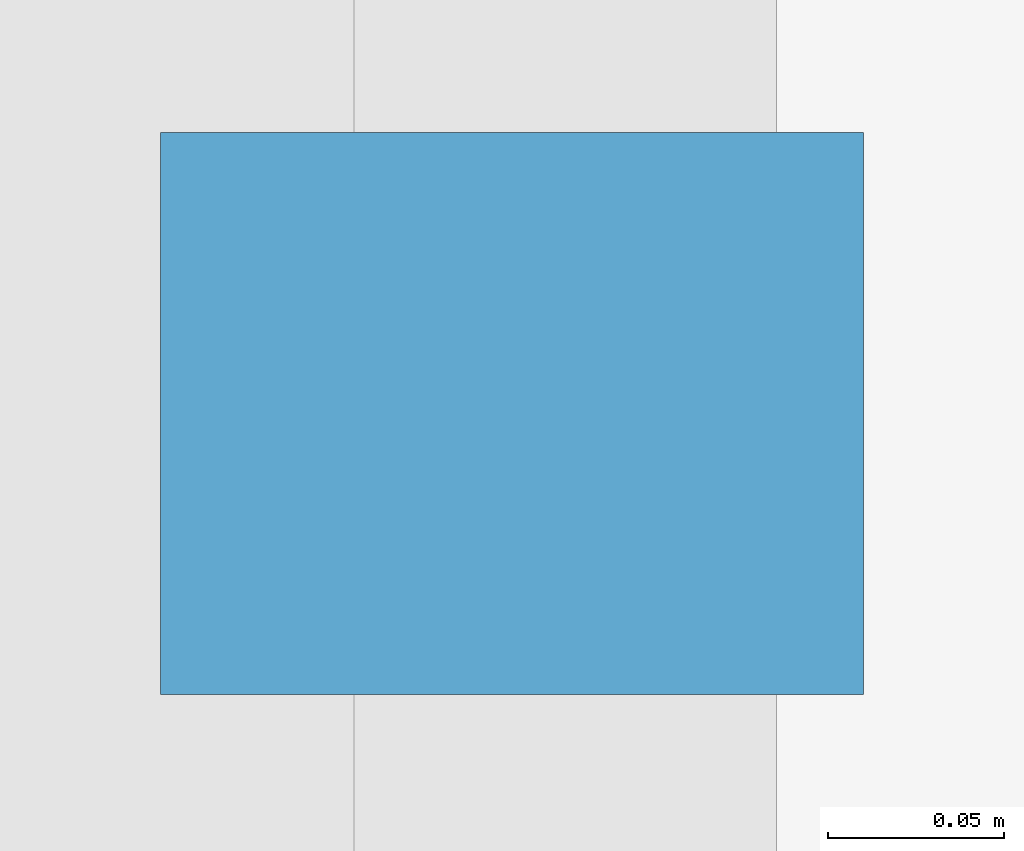
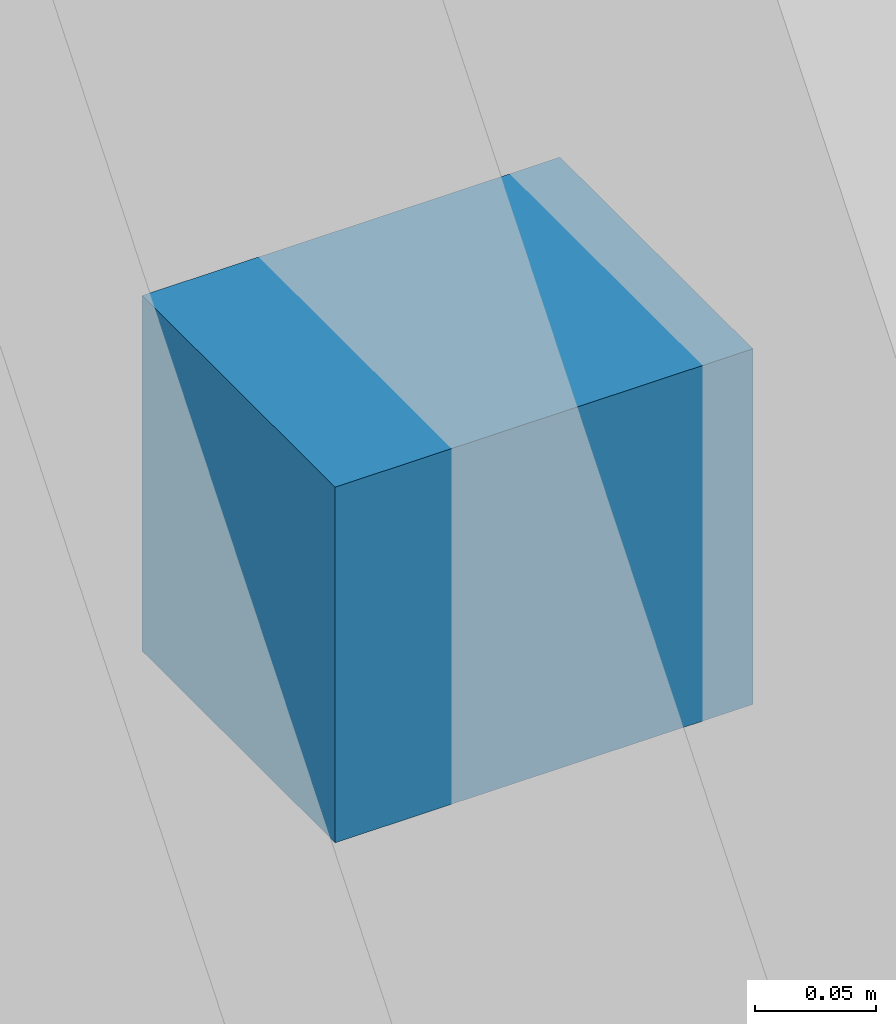
# One storey, part 20 of 24: 1 discrete accessory.
"""IFC4 building model written with IfcOpenShell, lengths in metres."""

from ifc_helpers import new_model, si_unit, direction, frame, origin, origin_2d, place, context, subcontext, project, spatial, rectangle, extrude, material, type_object, element, save


model = new_model("IFC4")

# Units and contexts
model_context = context("Model", 3, precision=1e-05, world=origin(), true_north=direction((0.0, 1.0)))
body_context = subcontext(model_context, "Body", "Model", "MODEL_VIEW")
ifc_project = project(units=[si_unit("LENGTHUNIT", "METRE"), si_unit("AREAUNIT", "SQUARE_METRE"), si_unit("VOLUMEUNIT", "CUBIC_METRE"), si_unit("PLANEANGLEUNIT", "RADIAN"), si_unit("MASSUNIT", "GRAM", prefix="KILO")], contexts=[model_context])

# Site, building, storey
site_placement = place(None, origin())
site = spatial("IfcSite", under=ifc_project, at=site_placement, CompositionType="ELEMENT")
building_placement = place(site_placement, origin())
building = spatial("IfcBuilding", under=site, at=building_placement, Name="Koriwani Terraces Tower", CompositionType="ELEMENT")
storey_placement = place(building_placement, frame((0.0, 0.0, 89.60009765625)))
storey = spatial("IfcBuildingStorey", under=building, at=storey_placement, Name="L21", CompositionType="ELEMENT", Elevation=89.60009765625)

# Discrete accessory
ifc_material = material(Name="Steel ASTM A572 Grade 50", Category="steel")
discrete_accessory_type = type_object("IfcDiscreteAccessoryType", Name="BAGUETTE_STANDOFF_BRACKET", PredefinedType="BRACKET", material=ifc_material)
discrete_accessory_placement = place(storey_placement, frame((0.389892578125, 37.800048828125, 1.93505859375), z_axis=(0.0, 0.0, 1.0), x_axis=(0.0, 1.0, 0.0)))
element("IfcDiscreteAccessory", 1, at=discrete_accessory_placement, inside=storey, type_object=discrete_accessory_type, Name="L21 Terracotta Baguette Bracket (W-12)", PredefinedType="BRACKET", context=body_context, shape_type="SweptSolid", body=[
    extrude(rectangle(XDim=0.159912109375, YDim=0.199951171875, at=origin_2d()), origin(), (0.0, 0.0, 1.0), 0.179931640625),
])

save(model, "model.ifc")
